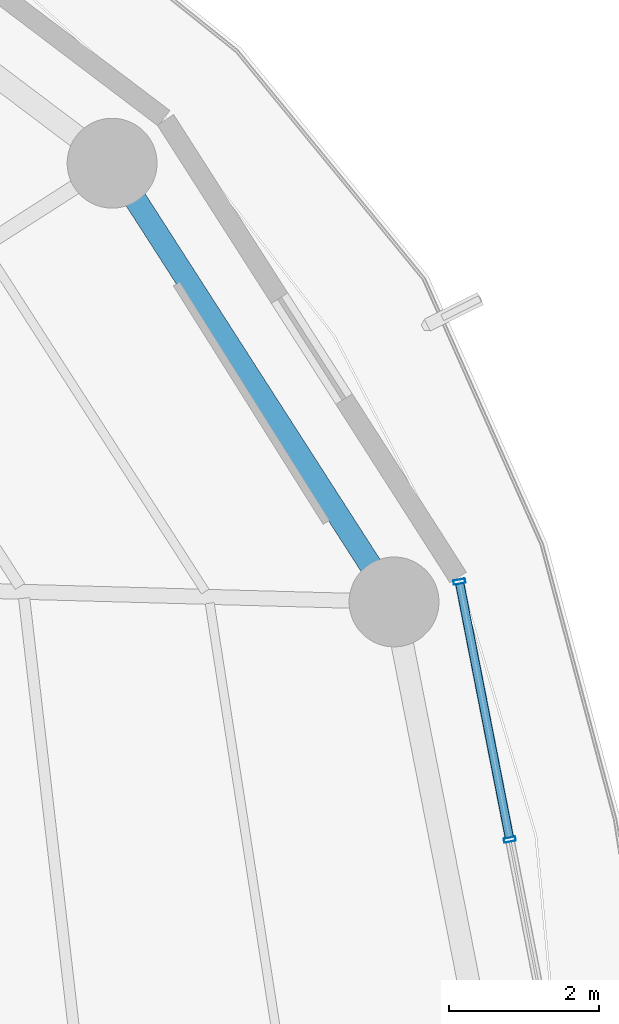
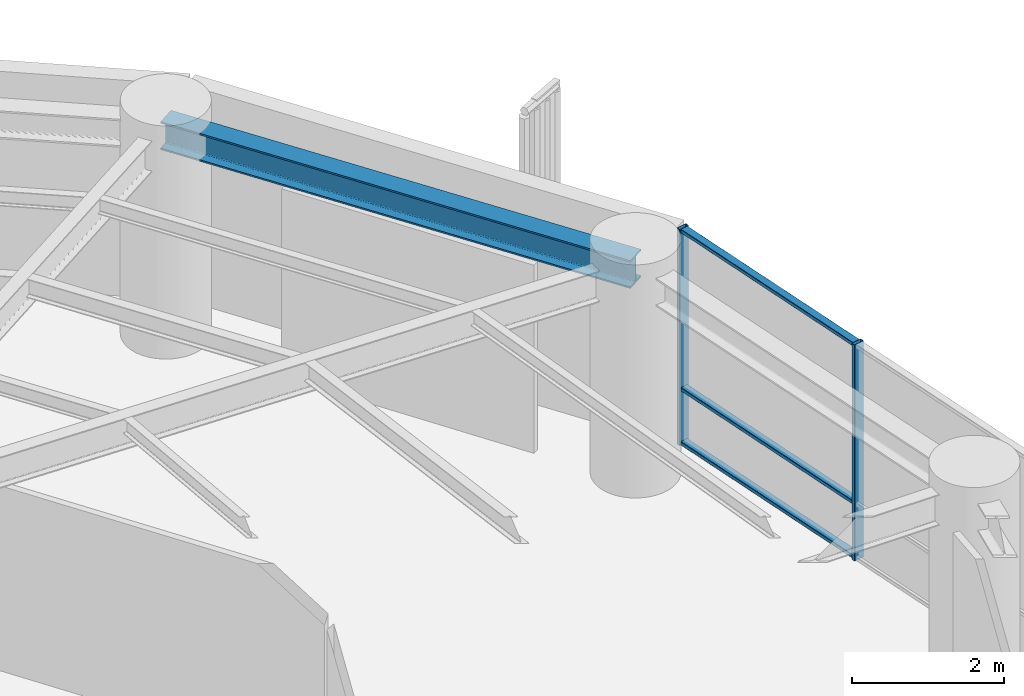
# One storey, part 15 of 28: 5 members, 1 beam, 1 element without a shape of its own.
"""IFC4 building model written with IfcOpenShell, lengths in metres."""

from ifc_helpers import new_model, si_unit, direction, frame, origin, origin_2d, place, context, subcontext, project, spatial, hollow_rectangle, i_section, extrude, material, layer, layer_set, material_profile, profile_set, type_object, element, aggregate, save


model = new_model("IFC4")

# Units and contexts
model_context = context("Model", 3, precision=1e-05, world=origin(), true_north=direction((0.0, 1.0)))
body_context = subcontext(model_context, "Body", "Model", "MODEL_VIEW")
ifc_project = project(units=[si_unit("LENGTHUNIT", "METRE"), si_unit("AREAUNIT", "SQUARE_METRE"), si_unit("VOLUMEUNIT", "CUBIC_METRE"), si_unit("PLANEANGLEUNIT", "RADIAN"), si_unit("MASSUNIT", "GRAM", prefix="KILO")], contexts=[model_context])

# Site, building, storey
site_placement = place(None, origin())
site = spatial("IfcSite", under=ifc_project, at=site_placement, CompositionType="ELEMENT")
building_placement = place(site_placement, origin())
building = spatial("IfcBuilding", under=site, at=building_placement, Name="Kelanora Arch Commons", CompositionType="ELEMENT")
storey_placement = place(building_placement, frame((0.0, 0.0, 180.60009765625)))
storey = spatial("IfcBuildingStorey", under=building, at=storey_placement, Name="L46", CompositionType="ELEMENT", Elevation=180.60009765625)

# Beam
ifc_material_1 = material(Name="Steel S355", Category="steel")
ifc_material_profile_1 = material_profile(ifc_material_1, i_section(OverallWidth=0.300048828125, OverallDepth=0.449951171875, WebThickness=0.013916015625, FlangeThickness=0.02587890625, FilletRadius=0.027099609375, at=origin_2d()), Name="HEB450")
ifc_profile_set_1 = profile_set([ifc_material_profile_1], Name="Steel S355")
beam_type = type_object("IfcBeamType", Name="BM-SPN-Z3", PredefinedType="SPANDREL", material=ifc_profile_set_1)
beam_placement = place(storey_placement, frame((94.37255859375, 64.66259765625, 3.264892578125), z_axis=(-0.540576852469, 0.841294637196, 0.0), x_axis=(-0.841294637196, -0.540576852469, 0.0)))
element("IfcBeam", 1, at=beam_placement, inside=storey, type_object=beam_type, Name="Perimeter Spandrel Beam BS-02 L46", PredefinedType="SPANDREL", context=body_context, shape_type="SweptSolid", body=[
    extrude(i_section(OverallWidth=0.300048828125, OverallDepth=0.449951171875, WebThickness=0.013916015625, FlangeThickness=0.02587890625, FilletRadius=0.027099609375, at=origin_2d()), origin(), (0.0, 0.0, 1.0), 6.964111328125),
])

# Curtain wall, members
ifc_material_2 = material(Name="Terracotta ceramic-fritted low-E glass and aluminium", Category="masonry")
ifc_layer = layer(ifc_material_2, 0.175048828125)
ifc_layer_set = layer_set([ifc_layer], Name="Terracotta ceramic-fritted low-E glass and aluminium")
curtain_wall_type = type_object("IfcCurtainWallType", Name="CW-SYS-02", PredefinedType="NOTDEFINED", material=ifc_layer_set)
curtain_wall_placement = place(storey_placement, origin())
curtain_wall = element("IfcCurtainWall", 2, at=curtain_wall_placement, inside=storey, type_object=curtain_wall_type, Name="Unitised Curtain Wall L46-B00", PredefinedType="NOTDEFINED")
ifc_material_3 = material(Name="Powder-coated aluminium terracotta", Category="masonry")
ifc_material_profile_2 = material_profile(ifc_material_3, hollow_rectangle(XDim=0.159912109375, YDim=0.06005859375, WallThickness=0.0048828125, InnerFilletRadius=0.0048828125, OuterFilletRadius=0.010009765625, at=origin_2d()), Name="CWM160x60")
ifc_profile_set_2 = profile_set([ifc_material_profile_2], Name="Powder-coated aluminium terracotta")
member_type_1 = type_object("IfcMemberType", Name="CWM-STD", PredefinedType="MULLION", material=ifc_profile_set_2)
member_1_placement = place(storey_placement, frame((95.91845703125, 61.488525390625, 0.0), z_axis=(0.0, 0.0, 1.0), x_axis=(-0.981452557718, -0.191705182375, 0.0)))
member_1 = element("IfcMember", 3, at=member_1_placement, type_object=member_type_1, Name="CW-02 mullion 2", PredefinedType="MULLION", context=body_context, shape_type="SweptSolid", body=[
    extrude(hollow_rectangle(XDim=0.159912109375, YDim=0.06005859375, WallThickness=0.0048828125, InnerFilletRadius=0.0048828125, OuterFilletRadius=0.010009765625, at=origin_2d()), origin(), (0.0, 0.0, 1.0), 3.474853515625),
])
member_2_placement = place(storey_placement, frame((95.245849609375, 64.93310546875, 0.0), z_axis=(0.0, 0.0, 1.0), x_axis=(-0.981452557718, -0.191705182375, 0.0)))
member_2 = element("IfcMember", 4, at=member_2_placement, type_object=member_type_1, Name="CW-02 mullion 3", PredefinedType="MULLION", context=body_context, shape_type="SweptSolid", body=[
    extrude(hollow_rectangle(XDim=0.159912109375, YDim=0.06005859375, WallThickness=0.0048828125, InnerFilletRadius=0.0048828125, OuterFilletRadius=0.010009765625, at=origin_2d()), origin(), (0.0, 0.0, 1.0), 3.474853515625),
])
ifc_material_profile_3 = material_profile(ifc_material_3, hollow_rectangle(XDim=0.1201171875, YDim=0.06005859375, WallThickness=0.0048828125, InnerFilletRadius=0.0048828125, OuterFilletRadius=0.010009765625, at=origin_2d()), Name="CWT120x60")
ifc_profile_set_3 = profile_set([ifc_material_profile_3], Name="Powder-coated aluminium terracotta")
member_type_2 = type_object("IfcMemberType", Name="CWT-STD", PredefinedType="USERDEFINED", material=ifc_profile_set_3)
member_3_placement = place(storey_placement, frame((95.912841796875, 61.51806640625, 0.02978515625), z_axis=(-0.191731523726, 0.981447412147, 0.0), x_axis=(-0.981447412147, -0.191731523726, 0.0)))
member_3 = element("IfcMember", 5, at=member_3_placement, type_object=member_type_2, Name="CW-02 transom 2.1", ObjectType="TRANSOM", PredefinedType="USERDEFINED", context=body_context, shape_type="SweptSolid", body=[
    extrude(hollow_rectangle(XDim=0.1201171875, YDim=0.06005859375, WallThickness=0.0048828125, InnerFilletRadius=0.0048828125, OuterFilletRadius=0.010009765625, at=origin_2d()), origin(), (0.0, 0.0, 1.0), 3.449462890625),
])
member_4_placement = place(storey_placement, frame((95.912841796875, 61.51806640625, 0.89990234375), z_axis=(-0.191731523726, 0.981447412147, 0.0), x_axis=(-0.981447412147, -0.191731523726, 0.0)))
member_4 = element("IfcMember", 6, at=member_4_placement, type_object=member_type_2, Name="CW-02 transom 2.2", ObjectType="TRANSOM", PredefinedType="USERDEFINED", context=body_context, shape_type="SweptSolid", body=[
    extrude(hollow_rectangle(XDim=0.1201171875, YDim=0.06005859375, WallThickness=0.0048828125, InnerFilletRadius=0.0048828125, OuterFilletRadius=0.010009765625, at=origin_2d()), origin(), (0.0, 0.0, 1.0), 3.449462890625),
])
member_5_placement = place(storey_placement, frame((95.912841796875, 61.51806640625, 3.44482421875), z_axis=(-0.191731523726, 0.981447412147, 0.0), x_axis=(-0.981447412147, -0.191731523726, 0.0)))
member_5 = element("IfcMember", 7, at=member_5_placement, type_object=member_type_2, Name="CW-02 transom 2.3", ObjectType="TRANSOM", PredefinedType="USERDEFINED", context=body_context, shape_type="SweptSolid", body=[
    extrude(hollow_rectangle(XDim=0.1201171875, YDim=0.06005859375, WallThickness=0.0048828125, InnerFilletRadius=0.0048828125, OuterFilletRadius=0.010009765625, at=origin_2d()), origin(), (0.0, 0.0, 1.0), 3.449462890625),
])
aggregate(curtain_wall, [member_1, member_2, member_3, member_4, member_5])

save(model, "model.ifc")
